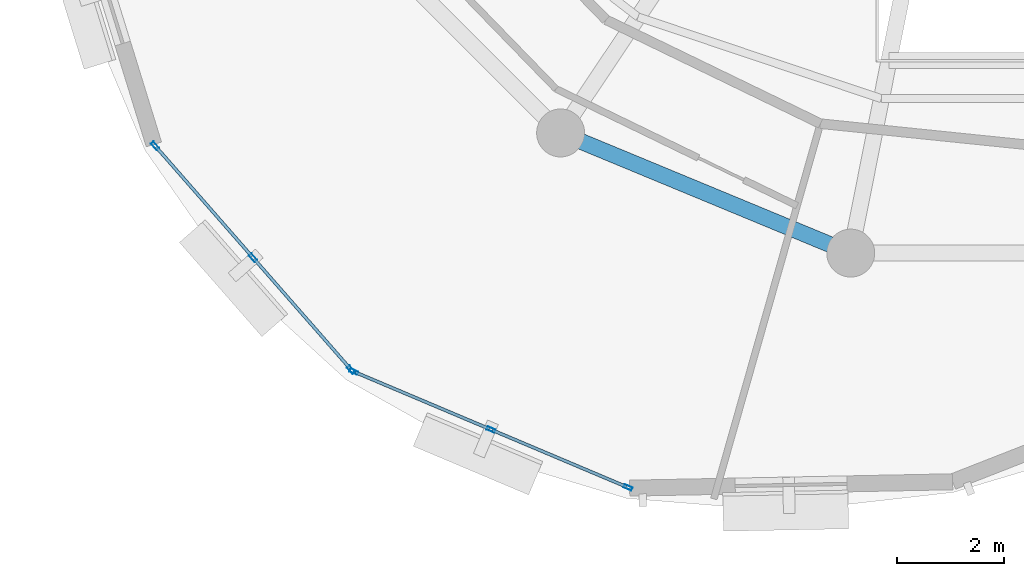
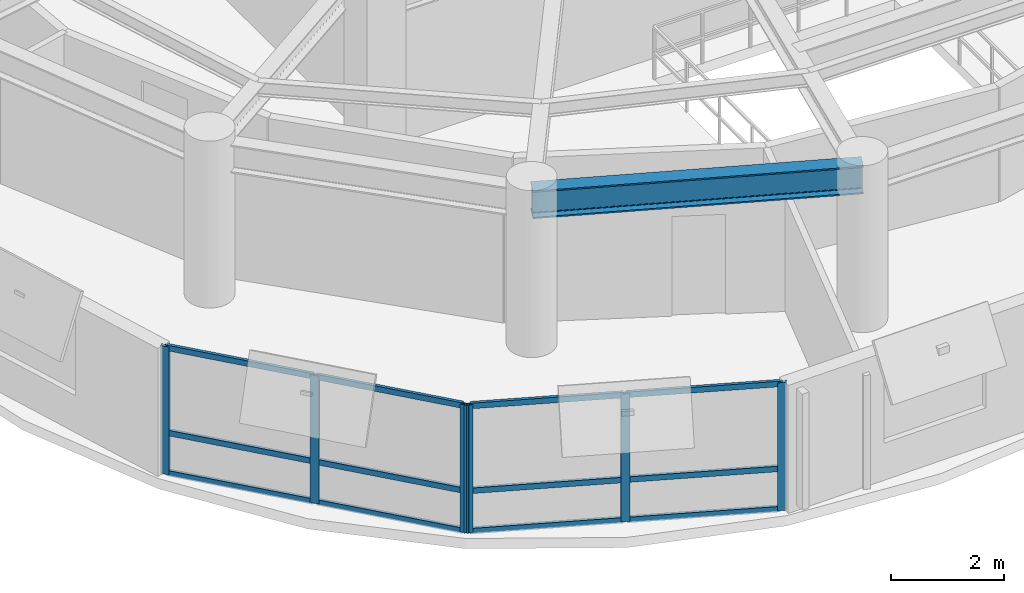
# One storey, part 2 of 11: 18 members, 1 beam, 2 elements without a shape of their own.
"""IFC4 building model written with IfcOpenShell, lengths in metres."""

from ifc_helpers import new_model, si_unit, direction, frame, origin, origin_2d, place, context, subcontext, project, spatial, hollow_rectangle, i_section, extrude, material, layer, layer_set, material_profile, profile_set, type_object, element, aggregate, save


model = new_model("IFC4")

# Units and contexts
model_context = context("Model", 3, precision=1e-05, world=origin(), true_north=direction((0.0, 1.0)))
body_context = subcontext(model_context, "Body", "Model", "MODEL_VIEW")
ifc_project = project(units=[si_unit("LENGTHUNIT", "METRE"), si_unit("AREAUNIT", "SQUARE_METRE"), si_unit("VOLUMEUNIT", "CUBIC_METRE"), si_unit("PLANEANGLEUNIT", "RADIAN"), si_unit("MASSUNIT", "GRAM", prefix="KILO"), si_unit("THERMODYNAMICTEMPERATUREUNIT", "KELVIN"), si_unit("POWERUNIT", "WATT")], contexts=[model_context])

# Site, building, storey
site_placement = place(None, origin())
site = spatial("IfcSite", under=ifc_project, at=site_placement, CompositionType="ELEMENT")
building_placement = place(site_placement, origin())
building = spatial("IfcBuilding", under=site, at=building_placement, Name="Ocrelia Relay Tower", CompositionType="ELEMENT")
storey_placement = place(building_placement, frame((0.0, 0.0, 255.60009765625)))
storey = spatial("IfcBuildingStorey", under=building, at=storey_placement, Name="L63", CompositionType="ELEMENT", Elevation=255.60009765625)

# Beam
ifc_material_1 = material(Name="Steel S355", Category="steel")
ifc_material_profile_1 = material_profile(ifc_material_1, i_section(OverallWidth=0.300048828125, OverallDepth=0.60009765625, WebThickness=0.015380859375, FlangeThickness=0.030029296875, FilletRadius=0.027099609375, at=origin_2d()), Name="HEB 600")
ifc_profile_set_1 = profile_set([ifc_material_profile_1], Name="Steel S355")
beam_type = type_object("IfcBeamType", Name="BM-HEB600", PredefinedType="BEAM", material=ifc_profile_set_1)
beam_placement = place(storey_placement, frame((25.61083984375, 13.44482421875, 3.079833984375), z_axis=(0.923884009374, -0.382672624084, 0.0), x_axis=(0.382672624084, 0.923884009374, 0.0)))
element("IfcBeam", 1, at=beam_placement, inside=storey, type_object=beam_type, Name="L63 Perimeter Spandrel Beam S11", PredefinedType="BEAM", context=body_context, shape_type="SweptSolid", body=[
    extrude(i_section(OverallWidth=0.300048828125, OverallDepth=0.60009765625, WebThickness=0.015380859375, FlangeThickness=0.030029296875, FilletRadius=0.027099609375, at=origin_2d()), origin(), (0.0, 0.0, 1.0), 5.891845703125),
])

# Curtain wall, members
ifc_material_2 = material(Name="Aluminium and solar-control low-E glass", Category="aluminium")
ifc_layer = layer(ifc_material_2, 0.179931640625, Name="Aluminium and solar-control low-E glass")
ifc_layer_set = layer_set([ifc_layer], Name="Aluminium and solar-control low-E glass")
curtain_wall_type = type_object("IfcCurtainWallType", Name="CW-SYS-Z4-EXEC", PredefinedType="NOTDEFINED", material=ifc_layer_set)
curtain_wall_1_placement = place(storey_placement, origin())
curtain_wall_1 = element("IfcCurtainWall", 2, at=curtain_wall_1_placement, inside=storey, type_object=curtain_wall_type, Name="L63 Elliptical Tower Curtain Wall Bay 09", PredefinedType="NOTDEFINED")
ifc_material_3 = material(Name="Anodised bronze aluminium", Category="aluminium")
ifc_material_profile_2 = material_profile(ifc_material_3, hollow_rectangle(XDim=0.06494140625, YDim=0.159912109375, WallThickness=0.0048828125, at=origin_2d()), Name="CW-MUL-160x65")
ifc_profile_set_2 = profile_set([ifc_material_profile_2], Name="Anodised bronze aluminium")
member_type_1 = type_object("IfcMemberType", Name="CW-SYS-Z4-EXEC-MUL", PredefinedType="MULLION", material=ifc_profile_set_2)
member_1_placement = place(storey_placement, frame((18.000732421875, 13.20556640625, 0.0), z_axis=(0.0, 0.0, 1.0), x_axis=(0.752441827532, 0.658658709941, 0.0)))
member_1 = element("IfcMember", 3, at=member_1_placement, type_object=member_type_1, Name="CW-Z4 mullion 1", PredefinedType="MULLION", context=body_context, shape_type="SweptSolid", body=[
    extrude(hollow_rectangle(XDim=0.06494140625, YDim=0.159912109375, WallThickness=0.0048828125, at=origin_2d()), origin(), (0.0, 0.0, 1.0), 2.760009765625),
])
member_2_placement = place(storey_placement, frame((19.840087890625, 11.104248046875, 0.0), z_axis=(0.0, 0.0, 1.0), x_axis=(0.752441827532, 0.658658709941, 0.0)))
member_2 = element("IfcMember", 4, at=member_2_placement, type_object=member_type_1, Name="CW-Z4 mullion 2", PredefinedType="MULLION", context=body_context, shape_type="SweptSolid", body=[
    extrude(hollow_rectangle(XDim=0.06494140625, YDim=0.159912109375, WallThickness=0.0048828125, at=origin_2d()), origin(), (0.0, 0.0, 1.0), 2.760009765625),
])
member_3_placement = place(storey_placement, frame((21.6796875, 9.0029296875, 0.0), z_axis=(0.0, 0.0, 1.0), x_axis=(0.752441827532, 0.658658709941, 0.0)))
member_3 = element("IfcMember", 5, at=member_3_placement, type_object=member_type_1, Name="CW-Z4 mullion 3", PredefinedType="MULLION", context=body_context, shape_type="SweptSolid", body=[
    extrude(hollow_rectangle(XDim=0.06494140625, YDim=0.159912109375, WallThickness=0.0048828125, at=origin_2d()), origin(), (0.0, 0.0, 1.0), 2.760009765625),
])

curtain_wall_2_placement = place(storey_placement, origin())
curtain_wall_2 = element("IfcCurtainWall", 6, at=curtain_wall_2_placement, inside=storey, type_object=curtain_wall_type, Name="L63 Elliptical Tower Curtain Wall Bay 10", PredefinedType="NOTDEFINED")
member_4_placement = place(storey_placement, frame((21.73095703125, 8.9658203125, 0.0), z_axis=(0.0, 0.0, 1.0), x_axis=(0.389090861221, 0.921199382172, 0.0)))
member_4 = element("IfcMember", 7, at=member_4_placement, type_object=member_type_1, Name="CW-Z4 mullion 1", PredefinedType="MULLION", context=body_context, shape_type="SweptSolid", body=[
    extrude(hollow_rectangle(XDim=0.06494140625, YDim=0.159912109375, WallThickness=0.0048828125, at=origin_2d()), origin(), (0.0, 0.0, 1.0), 2.760009765625),
])
member_5_placement = place(storey_placement, frame((24.303466796875, 7.879150390625, 0.0), z_axis=(0.0, 0.0, 1.0), x_axis=(0.389090861221, 0.921199382172, 0.0)))
member_5 = element("IfcMember", 8, at=member_5_placement, type_object=member_type_1, Name="CW-Z4 mullion 2", PredefinedType="MULLION", context=body_context, shape_type="SweptSolid", body=[
    extrude(hollow_rectangle(XDim=0.06494140625, YDim=0.159912109375, WallThickness=0.0048828125, at=origin_2d()), origin(), (0.0, 0.0, 1.0), 2.760009765625),
])
member_6_placement = place(storey_placement, frame((26.876220703125, 6.79248046875, 0.0), z_axis=(0.0, 0.0, 1.0), x_axis=(0.389090861221, 0.921199382172, 0.0)))
member_6 = element("IfcMember", 9, at=member_6_placement, type_object=member_type_1, Name="CW-Z4 mullion 3", PredefinedType="MULLION", context=body_context, shape_type="SweptSolid", body=[
    extrude(hollow_rectangle(XDim=0.06494140625, YDim=0.159912109375, WallThickness=0.0048828125, at=origin_2d()), origin(), (0.0, 0.0, 1.0), 2.760009765625),
])

# Member
ifc_material_profile_3 = material_profile(ifc_material_3, hollow_rectangle(XDim=0.06005859375, YDim=0.1201171875, WallThickness=0.0048828125, at=origin_2d()), Name="CW-TRN-120x60")
ifc_profile_set_3 = profile_set([ifc_material_profile_3], Name="Anodised bronze aluminium")
member_type_2 = type_object("IfcMemberType", Name="CW-SYS-Z4-EXEC-TRN", PredefinedType="USERDEFINED", material=ifc_profile_set_3)
member_7_placement = place(storey_placement, frame((18.022216796875, 13.180908203125, 0.02978515625), z_axis=(0.658694693881, -0.752410327051, 0.0), x_axis=(0.752410327051, 0.658694693881, 0.0)))
member_7 = element("IfcMember", 10, at=member_7_placement, type_object=member_type_2, Name="CW-Z4 transom 1.1", ObjectType="TRANSOM", PredefinedType="USERDEFINED", context=body_context, shape_type="SweptSolid", body=[
    extrude(hollow_rectangle(XDim=0.06005859375, YDim=0.1201171875, WallThickness=0.0048828125, at=origin_2d()), origin(), (0.0, 0.0, 1.0), 2.7275390625),
])

member_8_placement = place(storey_placement, frame((18.022216796875, 13.180908203125, 0.89990234375), z_axis=(0.658694693881, -0.752410327051, 0.0), x_axis=(0.752410327051, 0.658694693881, 0.0)))
member_8 = element("IfcMember", 11, at=member_8_placement, type_object=member_type_2, Name="CW-Z4 transom 1.2", ObjectType="TRANSOM", PredefinedType="USERDEFINED", context=body_context, shape_type="SweptSolid", body=[
    extrude(hollow_rectangle(XDim=0.06005859375, YDim=0.1201171875, WallThickness=0.0048828125, at=origin_2d()), origin(), (0.0, 0.0, 1.0), 2.7275390625),
])

member_9_placement = place(storey_placement, frame((18.022216796875, 13.180908203125, 2.72998046875), z_axis=(0.658694693881, -0.752410327051, 0.0), x_axis=(0.752410327051, 0.658694693881, 0.0)))
member_9 = element("IfcMember", 12, at=member_9_placement, type_object=member_type_2, Name="CW-Z4 transom 1.3", ObjectType="TRANSOM", PredefinedType="USERDEFINED", context=body_context, shape_type="SweptSolid", body=[
    extrude(hollow_rectangle(XDim=0.06005859375, YDim=0.1201171875, WallThickness=0.0048828125, at=origin_2d()), origin(), (0.0, 0.0, 1.0), 2.7275390625),
])

member_10_placement = place(storey_placement, frame((19.861572265625, 11.07958984375, 0.02978515625), z_axis=(0.658694693881, -0.752410327051, 0.0), x_axis=(0.752410327051, 0.658694693881, 0.0)))
member_10 = element("IfcMember", 13, at=member_10_placement, type_object=member_type_2, Name="CW-Z4 transom 2.1", ObjectType="TRANSOM", PredefinedType="USERDEFINED", context=body_context, shape_type="SweptSolid", body=[
    extrude(hollow_rectangle(XDim=0.06005859375, YDim=0.1201171875, WallThickness=0.0048828125, at=origin_2d()), origin(), (0.0, 0.0, 1.0), 2.7275390625),
])

member_11_placement = place(storey_placement, frame((19.861572265625, 11.07958984375, 0.89990234375), z_axis=(0.658694693881, -0.752410327051, 0.0), x_axis=(0.752410327051, 0.658694693881, 0.0)))
member_11 = element("IfcMember", 14, at=member_11_placement, type_object=member_type_2, Name="CW-Z4 transom 2.2", ObjectType="TRANSOM", PredefinedType="USERDEFINED", context=body_context, shape_type="SweptSolid", body=[
    extrude(hollow_rectangle(XDim=0.06005859375, YDim=0.1201171875, WallThickness=0.0048828125, at=origin_2d()), origin(), (0.0, 0.0, 1.0), 2.7275390625),
])

member_12_placement = place(storey_placement, frame((19.861572265625, 11.07958984375, 2.72998046875), z_axis=(0.658694693881, -0.752410327051, 0.0), x_axis=(0.752410327051, 0.658694693881, 0.0)))
member_12 = element("IfcMember", 15, at=member_12_placement, type_object=member_type_2, Name="CW-Z4 transom 2.3", ObjectType="TRANSOM", PredefinedType="USERDEFINED", context=body_context, shape_type="SweptSolid", body=[
    extrude(hollow_rectangle(XDim=0.06005859375, YDim=0.1201171875, WallThickness=0.0048828125, at=origin_2d()), origin(), (0.0, 0.0, 1.0), 2.7275390625),
])

aggregate(curtain_wall_1, [member_1, member_2, member_3, member_7, member_8, member_9, member_10, member_11, member_12])

member_13_placement = place(storey_placement, frame((21.760986328125, 8.953125, 0.02978515625), z_axis=(0.921201800116, -0.389085136524, 0.0), x_axis=(0.389085136524, 0.921201800116, 0.0)))
member_13 = element("IfcMember", 16, at=member_13_placement, type_object=member_type_2, Name="CW-Z4 transom 1.1", ObjectType="TRANSOM", PredefinedType="USERDEFINED", context=body_context, shape_type="SweptSolid", body=[
    extrude(hollow_rectangle(XDim=0.06005859375, YDim=0.1201171875, WallThickness=0.0048828125, at=origin_2d()), origin(), (0.0, 0.0, 1.0), 2.7275390625),
])

member_14_placement = place(storey_placement, frame((21.760986328125, 8.953125, 0.89990234375), z_axis=(0.921201800116, -0.389085136524, 0.0), x_axis=(0.389085136524, 0.921201800116, 0.0)))
member_14 = element("IfcMember", 17, at=member_14_placement, type_object=member_type_2, Name="CW-Z4 transom 1.2", ObjectType="TRANSOM", PredefinedType="USERDEFINED", context=body_context, shape_type="SweptSolid", body=[
    extrude(hollow_rectangle(XDim=0.06005859375, YDim=0.1201171875, WallThickness=0.0048828125, at=origin_2d()), origin(), (0.0, 0.0, 1.0), 2.7275390625),
])

member_15_placement = place(storey_placement, frame((21.760986328125, 8.953125, 2.72998046875), z_axis=(0.921201800116, -0.389085136524, 0.0), x_axis=(0.389085136524, 0.921201800116, 0.0)))
member_15 = element("IfcMember", 18, at=member_15_placement, type_object=member_type_2, Name="CW-Z4 transom 1.3", ObjectType="TRANSOM", PredefinedType="USERDEFINED", context=body_context, shape_type="SweptSolid", body=[
    extrude(hollow_rectangle(XDim=0.06005859375, YDim=0.1201171875, WallThickness=0.0048828125, at=origin_2d()), origin(), (0.0, 0.0, 1.0), 2.7275390625),
])

member_16_placement = place(storey_placement, frame((24.33349609375, 7.866455078125, 0.02978515625), z_axis=(0.921201800116, -0.389085136524, 0.0), x_axis=(0.389085136524, 0.921201800116, 0.0)))
member_16 = element("IfcMember", 19, at=member_16_placement, type_object=member_type_2, Name="CW-Z4 transom 2.1", ObjectType="TRANSOM", PredefinedType="USERDEFINED", context=body_context, shape_type="SweptSolid", body=[
    extrude(hollow_rectangle(XDim=0.06005859375, YDim=0.1201171875, WallThickness=0.0048828125, at=origin_2d()), origin(), (0.0, 0.0, 1.0), 2.7275390625),
])

member_17_placement = place(storey_placement, frame((24.33349609375, 7.866455078125, 0.89990234375), z_axis=(0.921201800116, -0.389085136524, 0.0), x_axis=(0.389085136524, 0.921201800116, 0.0)))
member_17 = element("IfcMember", 20, at=member_17_placement, type_object=member_type_2, Name="CW-Z4 transom 2.2", ObjectType="TRANSOM", PredefinedType="USERDEFINED", context=body_context, shape_type="SweptSolid", body=[
    extrude(hollow_rectangle(XDim=0.06005859375, YDim=0.1201171875, WallThickness=0.0048828125, at=origin_2d()), origin(), (0.0, 0.0, 1.0), 2.7275390625),
])

member_18_placement = place(storey_placement, frame((24.33349609375, 7.866455078125, 2.72998046875), z_axis=(0.921201800116, -0.389085136524, 0.0), x_axis=(0.389085136524, 0.921201800116, 0.0)))
member_18 = element("IfcMember", 21, at=member_18_placement, type_object=member_type_2, Name="CW-Z4 transom 2.3", ObjectType="TRANSOM", PredefinedType="USERDEFINED", context=body_context, shape_type="SweptSolid", body=[
    extrude(hollow_rectangle(XDim=0.06005859375, YDim=0.1201171875, WallThickness=0.0048828125, at=origin_2d()), origin(), (0.0, 0.0, 1.0), 2.7275390625),
])

aggregate(curtain_wall_2, [member_4, member_5, member_6, member_13, member_14, member_15, member_16, member_17, member_18])

save(model, "model.ifc")
